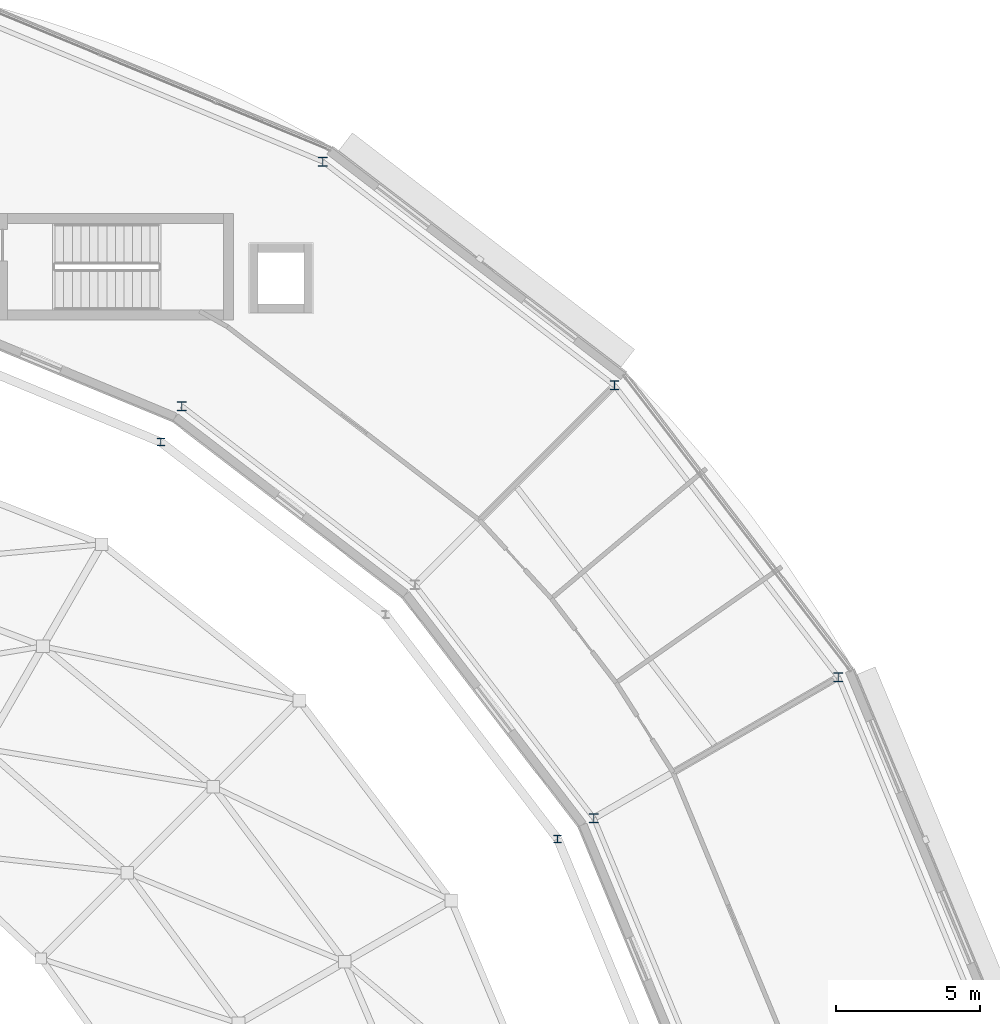
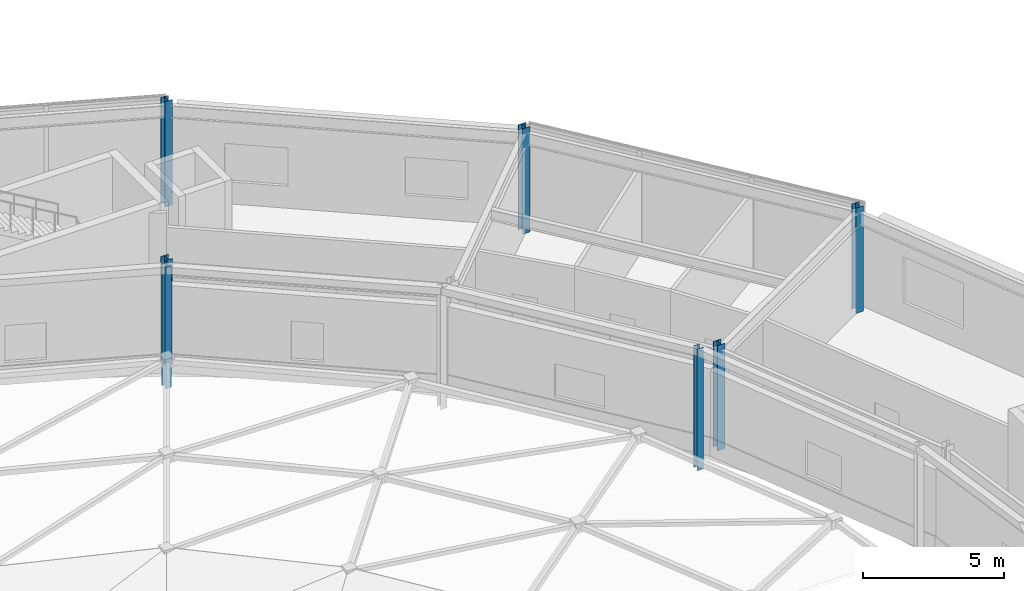
# One storey, part 9 of 89: 7 columns.
"""IFC4 building model written with IfcOpenShell, lengths in metres."""

from ifc_helpers import new_model, si_unit, direction, frame, origin, origin_2d, place, context, subcontext, project, spatial, i_section, extrude, material, material_profile, profile_set, type_object, element, save


model = new_model("IFC4")

# Units and contexts
model_context = context("Model", 3, precision=1e-05, world=origin(), true_north=direction((0.0, 1.0)))
body_context = subcontext(model_context, "Body", "Model", "MODEL_VIEW")
ifc_project = project(units=[si_unit("LENGTHUNIT", "METRE"), si_unit("AREAUNIT", "SQUARE_METRE"), si_unit("VOLUMEUNIT", "CUBIC_METRE"), si_unit("PLANEANGLEUNIT", "RADIAN"), si_unit("MASSUNIT", "GRAM", prefix="KILO")], contexts=[model_context])

# Site, building, storey
site_placement = place(None, origin())
site = spatial("IfcSite", under=ifc_project, at=site_placement, CompositionType="ELEMENT")
building_placement = place(site_placement, origin())
building = spatial("IfcBuilding", under=site, at=building_placement, Name="Almandine Court Research Institute", CompositionType="ELEMENT")
storey_placement = place(building_placement, frame((0.0, 0.0, 18.89990234375)))
storey = spatial("IfcBuildingStorey", under=building, at=storey_placement, Name="L04", CompositionType="ELEMENT", Elevation=18.89990234375)

# Columns
ifc_material = material(Name="Steel ASTM A992 Grade 50", Category="steel")
ifc_material_profile_1 = material_profile(ifc_material, i_section(OverallWidth=0.305908203125, OverallDepth=0.31103515625, WebThickness=0.010986328125, FlangeThickness=0.01708984375, at=origin_2d()), Name="W310x107")
ifc_profile_set_1 = profile_set([ifc_material_profile_1], Name="Steel ASTM A992 Grade 50")
column_type_1 = type_object("IfcColumnType", Name="Col-C-W08-E", PredefinedType="COLUMN", material=ifc_profile_set_1)
for number, where, z_axis, x_axis, name in (
    (1, (120.862060546875, 75.550048828125, 0.0), (0.0, 0.0, 1.0), (1.0, 0.0, 0.0), "L04 V5 Column V5-IN-S02"),
    (2, (129.34912109375, 80.449951171875, 0.0), (0.0, 0.0, 1.0), (1.0, 0.0, 0.0), "L04 V5 Column V5-OUT-S02"),
    (3, (121.577880859375, 90.577880859375, 0.0), (0.0, 0.0, 1.0), (1.0, 0.0, 0.0), "L04 V5 Column V5-OUT-S03"),
    (4, (106.550048828125, 89.862060546875, 0.0), (0.0, 0.0, 1.0), (1.0, 0.0, 0.0), "L04 V5 Column V5-IN-S04"),
    (5, (111.449951171875, 98.34912109375, 0.0), (0.0, 0.0, 1.0), (1.0, 0.0, 0.0), "L04 V5 Column V5-OUT-S04"),
):
    element("IfcColumn", number, at=place(storey_placement, frame(where, z_axis=z_axis, x_axis=x_axis)), inside=storey, type_object=column_type_1, Name=name, PredefinedType="COLUMN", context=body_context, shape_type="SweptSolid", body=[
        extrude(i_section(OverallWidth=0.305908203125, OverallDepth=0.31103515625, WebThickness=0.010986328125, FlangeThickness=0.01708984375, at=origin_2d()), origin(), (0.0, 0.0, 1.0), 4.550048828125),
    ])
ifc_material_profile_2 = material_profile(ifc_material, i_section(OverallWidth=0.257080078125, OverallDepth=0.263916015625, WebThickness=0.011962890625, FlangeThickness=0.02001953125, at=origin_2d()), Name="W250x101")
ifc_profile_set_2 = profile_set([ifc_material_profile_2], Name="Steel ASTM A992 Grade 50")
column_type_2 = type_object("IfcColumnType", Name="Col-C-W09-E", PredefinedType="COLUMN", material=ifc_profile_set_2)
for number, where, z_axis, x_axis, name in (
    (6, (119.60595703125, 74.824951171875, 0.0), (0.0, 0.0, 1.0), (1.0, 0.0, 0.0), "L04 V2 Column V2-OUT-S02"),
    (7, (105.824951171875, 88.60595703125, 0.0), (0.0, 0.0, 1.0), (1.0, 0.0, 0.0), "L04 V2 Column V2-OUT-S04"),
):
    element("IfcColumn", number, at=place(storey_placement, frame(where, z_axis=z_axis, x_axis=x_axis)), inside=storey, type_object=column_type_2, Name=name, PredefinedType="COLUMN", context=body_context, shape_type="SweptSolid", body=[
        extrude(i_section(OverallWidth=0.257080078125, OverallDepth=0.263916015625, WebThickness=0.011962890625, FlangeThickness=0.02001953125, at=origin_2d()), origin(), (0.0, 0.0, 1.0), 5.25),
    ])

save(model, "model.ifc")
